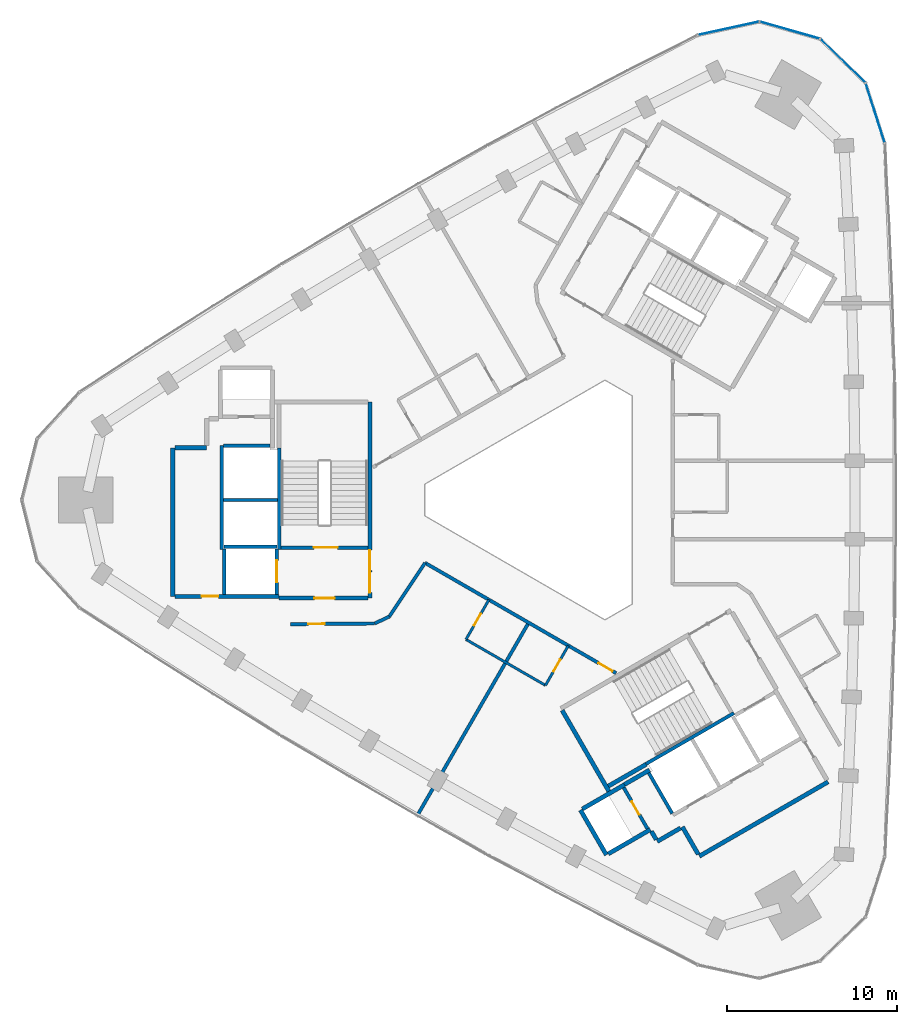
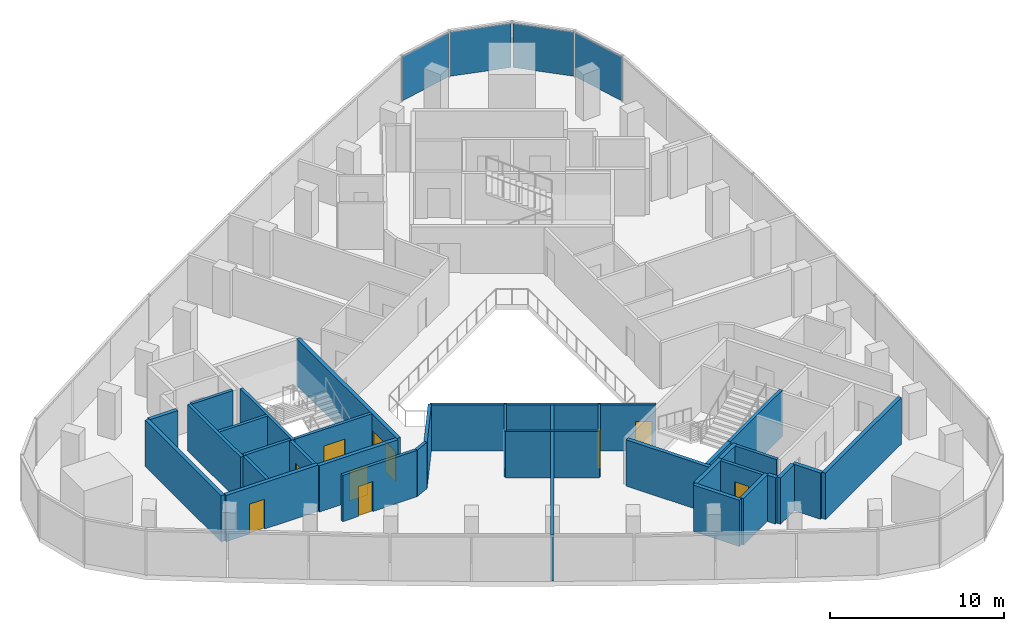
# One storey, part 7 of 11: 34 walls, 11 doors, 4 plates, 11 openings, 1 element without a shape of its own.
"""IFC4 building model written with IfcOpenShell, lengths in metres."""

from ifc_helpers import new_model, si_unit, direction, frame, frame_2d, origin, origin_2d, place, context, subcontext, project, spatial, rectangle, extrude, material, layer, layer_set, type_object, element, fill, aggregate, save


model = new_model("IFC4")

# Units and contexts
model_context = context("Model", 3, precision=1e-05, world=origin(), true_north=direction((0.0, 1.0)))
body_context = subcontext(model_context, "Body", "Model", "MODEL_VIEW")
ifc_project = project(units=[si_unit("LENGTHUNIT", "METRE"), si_unit("AREAUNIT", "SQUARE_METRE"), si_unit("VOLUMEUNIT", "CUBIC_METRE"), si_unit("PLANEANGLEUNIT", "RADIAN"), si_unit("MASSUNIT", "GRAM", prefix="KILO")], contexts=[model_context])

# Site, building, storey
site_placement = place(None, origin())
site = spatial("IfcSite", under=ifc_project, at=site_placement, CompositionType="ELEMENT")
building_placement = place(site_placement, origin())
building = spatial("IfcBuilding", under=site, at=building_placement, Name="Tamra Quay Hotel Tower", CompositionType="ELEMENT")
storey_placement = place(building_placement, frame((0.0, 0.0, 190.0)))
storey = spatial("IfcBuildingStorey", under=building, at=storey_placement, Name="L47", CompositionType="ELEMENT", Elevation=190.0)

# Curtain wall, plates
ifc_material_1 = material(Name="Aluminium 6063 anodised dark grey", Category="aluminium")
curtain_wall_type = type_object("IfcCurtainWallType", Name="CW1 CURTAIN WALL", PredefinedType="NOTDEFINED", material=ifc_material_1)
curtain_wall_placement = place(storey_placement, origin())
curtain_wall = element("IfcCurtainWall", 1, at=curtain_wall_placement, inside=storey, type_object=curtain_wall_type, Name="CW1 east face L47", PredefinedType="NOTDEFINED")
ifc_material_2 = material(Name="Glass clear laminated low-iron", Category="glass")
ifc_layer_1 = layer(ifc_material_2, 0.030029296875)
ifc_layer_set_1 = layer_set([ifc_layer_1], Name="GLASS PANEL CW1 Z4")
plate_type = type_object("IfcPlateType", Name="GLASS PANEL CW1 Z4", PredefinedType="CURTAIN_PANEL", material=ifc_layer_set_1)
plate_1_placement = place(storey_placement, frame((18.91064453125, 22.779541015625, 0.0), z_axis=(0.0, 0.0, 1.0), x_axis=(-0.303410479682, 0.952859948166, 0.0)))
plate_1 = element("IfcPlate", 2, at=plate_1_placement, type_object=plate_type, Name="CW1 glass L47.E.10", PredefinedType="CURTAIN_PANEL", context=body_context, shape_type="SweptSolid", body=[
    extrude(rectangle(XDim=3.62353515625, YDim=0.030029296875, at=origin_2d()), origin(), (0.0, 0.0, 1.0), 3.110107421875),
])
plate_2_placement = place(storey_placement, frame((17.009033203125, 25.849365234375, 0.0), z_axis=(0.0, 0.0, 1.0), x_axis=(-0.717974699393, 0.696069199888, 0.0)))
plate_2 = element("IfcPlate", 3, at=plate_2_placement, type_object=plate_type, Name="CW1 glass L47.E.11", PredefinedType="CURTAIN_PANEL", context=body_context, shape_type="SweptSolid", body=[
    extrude(rectangle(XDim=3.62353515625, YDim=0.030029296875, at=origin_2d()), origin(), (0.0, 0.0, 1.0), 3.110107421875),
])
plate_3_placement = place(storey_placement, frame((13.881591796875, 27.655029296875, 0.0), z_axis=(0.0, 0.0, 1.0), x_axis=(-0.961800959591, 0.273749729005, 0.0)))
plate_3 = element("IfcPlate", 4, at=plate_3_placement, type_object=plate_type, Name="CW1 glass L47.E.12", PredefinedType="CURTAIN_PANEL", context=body_context, shape_type="SweptSolid", body=[
    extrude(rectangle(XDim=3.62353515625, YDim=0.030029296875, at=origin_2d()), origin(), (0.0, 0.0, 1.0), 3.110107421875),
])
plate_4_placement = place(storey_placement, frame((10.272216796875, 27.766845703125, 0.0), z_axis=(0.0, 0.0, 1.0), x_axis=(-0.976906161202, -0.213668790904, 0.0)))
plate_4 = element("IfcPlate", 5, at=plate_4_placement, type_object=plate_type, Name="CW1 glass L47.E.13", PredefinedType="CURTAIN_PANEL", context=body_context, shape_type="SweptSolid", body=[
    extrude(rectangle(XDim=3.62353515625, YDim=0.030029296875, at=origin_2d()), origin(), (0.0, 0.0, 1.0), 3.110107421875),
])
aggregate(curtain_wall, [plate_1, plate_2, plate_3, plate_4])

# Walls
ifc_material_3 = material(Name="Concrete M70", Category="concrete")
ifc_layer_2 = layer(ifc_material_3, 0.199951171875)
ifc_layer_set_2 = layer_set([ifc_layer_2], Name="Concrete M70 core wall 200")
wall_type_1 = type_object("IfcWallType", Name="Concrete M70 core wall 200", PredefinedType="SHEAR", material=ifc_layer_set_2)
wall_1_placement = place(storey_placement, frame((-16.162109375, 3.073974609375, 0.0), z_axis=(0.0, 0.0, 1.0), x_axis=(0.0, -1.0, 0.0)))
element("IfcWall", 6, at=wall_1_placement, inside=storey, type_object=wall_type_1, Name="CW2", PredefinedType="SHEAR", context=body_context, shape_type="SweptSolid", body=[
    extrude(rectangle(XDim=5.97412109375, YDim=0.199951171875, at=frame_2d((2.987060546875, 0.0))), origin(), (0.0, 0.0, 1.0), 3.25),
])
wall_2_placement = place(storey_placement, frame((-19.5625, -2.900146484375, 0.0), z_axis=(0.0, 0.0, 1.0), x_axis=(0.0, 1.0, 0.0)))
element("IfcWall", 7, at=wall_2_placement, inside=storey, type_object=wall_type_1, Name="CW2", PredefinedType="SHEAR", context=body_context, shape_type="SweptSolid", body=[
    extrude(rectangle(XDim=6.100341796875, YDim=0.199951171875, at=frame_2d((3.05029296875, 0.0))), origin(), (0.0, 0.0, 1.0), 3.25),
])

# Wall, opening, door
wall_3_placement = place(storey_placement, frame((-10.96337890625, -2.800048828125, 0.0), z_axis=(0.0, 0.0, 1.0), x_axis=(-1.0, 0.0, 0.0)))
wall_3 = element("IfcWall", 8, at=wall_3_placement, inside=storey, type_object=wall_type_1, Name="CW2", PredefinedType="SHEAR", context=body_context, shape_type="SweptSolid", body=[
    extrude(rectangle(XDim=5.097900390625, YDim=0.199951171875, at=frame_2d((2.548828125, 0.0))), origin(), (0.0, 0.0, 1.0), 3.25),
])
opening_1_placement = place(wall_3_placement, frame((1.77392578125, 0.0, 0.0)))
opening_1 = element("IfcOpeningElement", 9, at=opening_1_placement, cuts=wall_3, Name="Opening FD2", PredefinedType="OPENING", context=body_context, shape_type="SweptSolid", body=[
    extrude(rectangle(XDim=1.39990234375, YDim=2.10009765625, at=frame_2d((0.699951171875, 1.050048828125))), frame((0.0, 0.10986328125, 0.0), z_axis=(0.0, -1.0, 0.0), x_axis=(1.0, 0.0, 0.0)), (0.0, 0.0, 1.0), 0.219970703125),
])
ifc_material_4 = material(Name="Core door FD2 1400x2100 RH")
door_type_1 = type_object("IfcDoorType", Name="Core door FD2 1400x2100 RH", OperationType="NOTDEFINED", PredefinedType="DOOR", material=ifc_material_4)
door_1_placement = place(opening_1_placement, origin())
door_1 = element("IfcDoor", 10, at=door_1_placement, inside=storey, type_object=door_type_1, Name="FD2", OperationType="SINGLE_SWING_RIGHT", OverallHeight=2.10009765625, OverallWidth=1.39990234375, PredefinedType="DOOR", context=body_context, shape_type="SweptSolid", body=[
    extrude(rectangle(XDim=1.39990234375, YDim=2.10009765625, at=frame_2d((0.699951171875, 1.050048828125))), frame((0.0, 0.02490234375, 0.0), z_axis=(0.0, -1.0, 0.0), x_axis=(1.0, 0.0, 0.0)), (0.0, 0.0, 1.0), 0.050048828125),
])
fill(opening_1, door_1)

# Walls
wall_4_placement = place(storey_placement, frame((-16.26318359375, 0.0, 0.0), z_axis=(0.0, 0.0, 1.0), x_axis=(-1.0, 0.0, 0.0)))
element("IfcWall", 11, at=wall_4_placement, inside=storey, type_object=wall_type_1, Name="CW2", PredefinedType="SHEAR", context=body_context, shape_type="SweptSolid", body=[
    extrude(rectangle(XDim=3.1982421875, YDim=0.199951171875, at=frame_2d((1.59912109375, 0.0))), origin(), (0.0, 0.0, 1.0), 3.25),
])
wall_5_placement = place(storey_placement, frame((-19.46240234375, 3.2001953125, 0.0), z_axis=(0.0, 0.0, 1.0), x_axis=(1.0, 0.0, 0.0)))
element("IfcWall", 12, at=wall_5_placement, inside=storey, type_object=wall_type_1, Name="CW2", PredefinedType="SHEAR", context=body_context, shape_type="SweptSolid", body=[
    extrude(rectangle(XDim=2.759033203125, YDim=0.199951171875, at=frame_2d((1.37939453125, 0.0))), origin(), (0.0, 0.0, 1.0), 3.25),
])
wall_6_placement = place(storey_placement, frame((-19.412353515625, -2.75, 0.0), z_axis=(0.0, 0.0, 1.0), x_axis=(1.0, 0.0, 0.0)))
element("IfcWall", 13, at=wall_6_placement, inside=storey, type_object=wall_type_1, Name="CW2", PredefinedType="SHEAR", context=body_context, shape_type="SweptSolid", body=[
    extrude(rectangle(XDim=3.10009765625, YDim=0.199951171875, at=frame_2d((1.550048828125, 0.0))), origin(), (0.0, 0.0, 1.0), 3.25),
])

# Wall, opening, door
wall_7_placement = place(storey_placement, frame((-16.312255859375, -2.898193359375, 0.0), z_axis=(0.0, 0.0, 1.0), x_axis=(0.0, -1.0, 0.0)))
wall_7 = element("IfcWall", 14, at=wall_7_placement, inside=storey, type_object=wall_type_1, Name="CW2", PredefinedType="SHEAR", context=body_context, shape_type="SweptSolid", body=[
    extrude(rectangle(XDim=2.65087890625, YDim=0.199951171875, at=frame_2d((1.325439453125, 0.0))), origin(), (0.0, 0.0, 1.0), 3.25),
])
opening_2_placement = place(wall_7_placement, frame((0.65185546875, 0.0, 0.0)))
opening_2 = element("IfcOpeningElement", 15, at=opening_2_placement, cuts=wall_7, Name="Opening LD", PredefinedType="OPENING", context=body_context, shape_type="SweptSolid", body=[
    extrude(rectangle(XDim=1.300048828125, YDim=2.10009765625, at=frame_2d((0.64990234375, 1.050048828125))), frame((0.0, 0.10986328125, 0.0), z_axis=(0.0, -1.0, 0.0), x_axis=(1.0, 0.0, 0.0)), (0.0, 0.0, 1.0), 0.219970703125),
])
ifc_material_5 = material(Name="Landing door LD 1300 sliding to right")
door_type_2 = type_object("IfcDoorType", Name="Landing door LD 1300 sliding to right", OperationType="NOTDEFINED", PredefinedType="DOOR", material=ifc_material_5)
door_2_placement = place(opening_2_placement, origin())
door_2 = element("IfcDoor", 16, at=door_2_placement, inside=storey, type_object=door_type_2, Name="LD", OperationType="SLIDING_TO_RIGHT", OverallHeight=2.10009765625, OverallWidth=1.300048828125, PredefinedType="DOOR", context=body_context, shape_type="SweptSolid", body=[
    extrude(rectangle(XDim=1.300048828125, YDim=2.10009765625, at=frame_2d((0.64990234375, 1.050048828125))), frame((0.0, 0.02490234375, 0.0), z_axis=(0.0, -1.0, 0.0), x_axis=(1.0, 0.0, 0.0)), (0.0, 0.0, 1.0), 0.050048828125),
])
fill(opening_2, door_2)

# Walls
wall_8_placement = place(storey_placement, frame((-19.412353515625, -5.549072265625, 0.0), z_axis=(0.0, 0.0, 1.0), x_axis=(0.0, 1.0, 0.0)))
element("IfcWall", 17, at=wall_8_placement, inside=storey, type_object=wall_type_1, Name="CW2", PredefinedType="SHEAR", context=body_context, shape_type="SweptSolid", body=[
    extrude(rectangle(XDim=2.65087890625, YDim=0.199951171875, at=frame_2d((1.325439453125, 0.0))), origin(), (0.0, 0.0, 1.0), 3.25),
])
wall_9_placement = place(storey_placement, frame((5.4189453125, -15.533935546875, 0.0), z_axis=(0.0, 0.0, 1.0), x_axis=(0.866029065029, 0.499993658486, 0.0)))
element("IfcWall", 18, at=wall_9_placement, inside=storey, type_object=wall_type_1, Name="CW2", PredefinedType="SHEAR", context=body_context, shape_type="SweptSolid", body=[
    extrude(rectangle(XDim=5.97412109375, YDim=0.199951171875, at=frame_2d((2.987060546875, 0.0))), origin(), (0.0, 0.0, 1.0), 3.25),
])

# Wall, opening, door
wall_10_placement = place(storey_placement, frame((5.50341796875, -19.352294921875, 0.0), z_axis=(0.0, 0.0, 1.0), x_axis=(-0.499986818241, 0.866033014143, 0.0)))
wall_10 = element("IfcWall", 19, at=wall_10_placement, inside=storey, type_object=wall_type_1, Name="CW2", PredefinedType="SHEAR", context=body_context, shape_type="SweptSolid", body=[
    extrude(rectangle(XDim=2.7978515625, YDim=0.199951171875, at=frame_2d((1.39892578125, 0.0))), origin(), (0.0, 0.0, 1.0), 3.25),
])
opening_3_placement = place(wall_10_placement, frame((0.948974609375, 0.0, 0.0)))
opening_3 = element("IfcOpeningElement", 20, at=opening_3_placement, cuts=wall_10, Name="Opening D1", PredefinedType="OPENING", context=body_context, shape_type="SweptSolid", body=[
    extrude(rectangle(XDim=0.89990234375, YDim=2.10009765625, at=frame_2d((0.449951171875, 1.050048828125))), frame((0.0, 0.10986328125, 0.0), z_axis=(0.0, -1.0, 0.0), x_axis=(1.0, 0.0, 0.0)), (0.0, 0.0, 1.0), 0.219970703125),
])
ifc_material_6 = material(Name="Core door D1 900x2100 RH")
door_type_3 = type_object("IfcDoorType", Name="Core door D1 900x2100 RH", OperationType="NOTDEFINED", PredefinedType="DOOR", material=ifc_material_6)
door_3_placement = place(opening_3_placement, origin())
door_3 = element("IfcDoor", 21, at=door_3_placement, inside=storey, type_object=door_type_3, Name="D1", OperationType="SINGLE_SWING_RIGHT", OverallHeight=2.10009765625, OverallWidth=0.89990234375, PredefinedType="DOOR", context=body_context, shape_type="SweptSolid", body=[
    extrude(rectangle(XDim=0.89990234375, YDim=2.10009765625, at=frame_2d((0.449951171875, 1.050048828125))), frame((0.0, 0.02490234375, 0.0), z_axis=(0.0, -1.0, 0.0), x_axis=(1.0, 0.0, 0.0)), (0.0, 0.0, 1.0), 0.050048828125),
])
fill(opening_3, door_3)

# Wall
wall_11_placement = place(storey_placement, frame((6.959716796875, -18.455078125, 0.0), z_axis=(0.0, 0.0, 1.0), x_axis=(-0.499926705758, 0.866067716099, 0.0)))
element("IfcWall", 22, at=wall_11_placement, inside=storey, type_object=wall_type_1, Name="CW2", PredefinedType="SHEAR", context=body_context, shape_type="SweptSolid", body=[
    extrude(rectangle(XDim=2.75927734375, YDim=0.199951171875, at=frame_2d((1.379638671875, 0.0))), origin(), (0.0, 0.0, 1.0), 3.25),
])

# Wall, openings, doors
ifc_layer_3 = layer(ifc_material_3, 0.25)
ifc_layer_set_3 = layer_set([ifc_layer_3], Name="Concrete M70 core wall 250")
wall_type_2 = type_object("IfcWallType", Name="Concrete M70 core wall 250", PredefinedType="SHEAR", material=ifc_layer_set_3)
wall_12_placement = place(storey_placement, frame((-10.83740234375, 5.77490234375, 0.0), z_axis=(0.0, 0.0, 1.0), x_axis=(0.0, -1.0, 0.0)))
wall_12 = element("IfcWall", 23, at=wall_12_placement, inside=storey, type_object=wall_type_2, Name="CW1", PredefinedType="SHEAR", context=body_context, shape_type="SweptSolid", body=[
    extrude(rectangle(XDim=11.5498046875, YDim=0.25, at=frame_2d((5.77490234375, 0.0))), origin(), (0.0, 0.0, 1.0), 3.25),
])
opening_4_placement = place(wall_12_placement, frame((10.02490234375, 0.0, 0.0)))
opening_4 = element("IfcOpeningElement", 24, at=opening_4_placement, cuts=wall_12, Name="Opening FD1", PredefinedType="OPENING", context=body_context, shape_type="SweptSolid", body=[
    extrude(rectangle(XDim=1.199951171875, YDim=2.10009765625, at=frame_2d((0.60009765625, 1.050048828125))), frame((0.0, 0.135009765625, 0.0), z_axis=(0.0, -1.0, 0.0), x_axis=(1.0, 0.0, 0.0)), (0.0, 0.0, 1.0), 0.27001953125),
])
opening_5_placement = place(wall_12_placement, frame((8.72509765625, 0.0, 0.0)))
opening_5 = element("IfcOpeningElement", 25, at=opening_5_placement, cuts=wall_12, Name="Opening FD1", PredefinedType="OPENING", context=body_context, shape_type="SweptSolid", body=[
    extrude(rectangle(XDim=1.199951171875, YDim=2.10009765625, at=frame_2d((0.60009765625, 1.050048828125))), frame((0.0, 0.135009765625, 0.0), z_axis=(0.0, -1.0, 0.0), x_axis=(1.0, 0.0, 0.0)), (0.0, 0.0, 1.0), 0.27001953125),
])
ifc_material_7 = material(Name="Core door FD1 1200x2100 LH")
door_type_4 = type_object("IfcDoorType", Name="Core door FD1 1200x2100 LH", OperationType="NOTDEFINED", PredefinedType="DOOR", material=ifc_material_7)
door_4_placement = place(opening_4_placement, origin())
door_4 = element("IfcDoor", 26, at=door_4_placement, inside=storey, type_object=door_type_4, Name="FD1", OperationType="SINGLE_SWING_LEFT", OverallHeight=2.10009765625, OverallWidth=1.199951171875, PredefinedType="DOOR", context=body_context, shape_type="SweptSolid", body=[
    extrude(rectangle(XDim=1.199951171875, YDim=2.10009765625, at=frame_2d((0.60009765625, 1.050048828125))), frame((0.0, 0.02490234375, 0.0), z_axis=(0.0, -1.0, 0.0), x_axis=(1.0, 0.0, 0.0)), (0.0, 0.0, 1.0), 0.050048828125),
])
fill(opening_4, door_4)
ifc_material_8 = material(Name="Core door FD1 1200x2100 RH")
door_type_5 = type_object("IfcDoorType", Name="Core door FD1 1200x2100 RH", OperationType="NOTDEFINED", PredefinedType="DOOR", material=ifc_material_8)
door_5_placement = place(opening_5_placement, origin())
door_5 = element("IfcDoor", 27, at=door_5_placement, inside=storey, type_object=door_type_5, Name="FD1", OperationType="SINGLE_SWING_RIGHT", OverallHeight=2.10009765625, OverallWidth=1.199951171875, PredefinedType="DOOR", context=body_context, shape_type="SweptSolid", body=[
    extrude(rectangle(XDim=1.199951171875, YDim=2.10009765625, at=frame_2d((0.60009765625, 1.050048828125))), frame((0.0, 0.02490234375, 0.0), z_axis=(0.0, -1.0, 0.0), x_axis=(1.0, 0.0, 0.0)), (0.0, 0.0, 1.0), 0.050048828125),
])
fill(opening_5, door_5)

# Wall
wall_13_placement = place(storey_placement, frame((-22.437255859375, -5.675048828125, 0.0), z_axis=(0.0, 0.0, 1.0), x_axis=(0.0, 1.0, 0.0)))
element("IfcWall", 28, at=wall_13_placement, inside=storey, type_object=wall_type_2, Name="CW1", PredefinedType="SHEAR", context=body_context, shape_type="SweptSolid", body=[
    extrude(rectangle(XDim=8.75, YDim=0.25, at=frame_2d((4.375, 0.0))), origin(), (0.0, 0.0, 1.0), 3.25),
])

# Wall, opening, door
wall_14_placement = place(storey_placement, frame((-16.187255859375, -5.675048828125, 0.0), z_axis=(0.0, 0.0, 1.0), x_axis=(-1.0, 0.0, 0.0)))
wall_14 = element("IfcWall", 29, at=wall_14_placement, inside=storey, type_object=wall_type_2, Name="CW1", PredefinedType="SHEAR", context=body_context, shape_type="SweptSolid", body=[
    extrude(rectangle(XDim=6.12451171875, YDim=0.25, at=frame_2d((3.062255859375, 0.0))), origin(), (0.0, 0.0, 1.0), 3.25),
])
opening_6_placement = place(wall_14_placement, frame((3.562744140625, 0.0, 0.0)))
opening_6 = element("IfcOpeningElement", 30, at=opening_6_placement, cuts=wall_14, Name="Opening FD3", PredefinedType="OPENING", context=body_context, shape_type="SweptSolid", body=[
    extrude(rectangle(XDim=1.0, YDim=2.10009765625, at=frame_2d((0.5, 1.050048828125))), frame((0.0, 0.135009765625, 0.0), z_axis=(0.0, -1.0, 0.0), x_axis=(1.0, 0.0, 0.0)), (0.0, 0.0, 1.0), 0.27001953125),
])
ifc_material_9 = material(Name="Core door FD3 1000x2100 LH")
door_type_6 = type_object("IfcDoorType", Name="Core door FD3 1000x2100 LH", OperationType="NOTDEFINED", PredefinedType="DOOR", material=ifc_material_9)
door_6_placement = place(opening_6_placement, origin())
door_6 = element("IfcDoor", 31, at=door_6_placement, inside=storey, type_object=door_type_6, Name="FD3", OperationType="SINGLE_SWING_LEFT", OverallHeight=2.10009765625, OverallWidth=1.0, PredefinedType="DOOR", context=body_context, shape_type="SweptSolid", body=[
    extrude(rectangle(XDim=1.0, YDim=2.10009765625, at=frame_2d((0.5, 1.050048828125))), frame((0.0, 0.02490234375, 0.0), z_axis=(0.0, -1.0, 0.0), x_axis=(1.0, 0.0, 0.0)), (0.0, 0.0, 1.0), 0.050048828125),
])
fill(opening_6, door_6)

wall_15_placement = place(storey_placement, frame((-10.962646484375, -5.77490234375, 0.0), z_axis=(0.0, 0.0, 1.0), x_axis=(-1.0, 0.0, 0.0)))
wall_15 = element("IfcWall", 32, at=wall_15_placement, inside=storey, type_object=wall_type_2, Name="CW1", PredefinedType="SHEAR", context=body_context, shape_type="SweptSolid", body=[
    extrude(rectangle(XDim=5.224609375, YDim=0.25, at=frame_2d((2.6123046875, 0.0))), origin(), (0.0, 0.0, 1.0), 3.25),
])
opening_7_placement = place(wall_15_placement, frame((1.94970703125, 0.0, 0.0)))
opening_7 = element("IfcOpeningElement", 33, at=opening_7_placement, cuts=wall_15, Name="Opening D2", PredefinedType="OPENING", context=body_context, shape_type="SweptSolid", body=[
    extrude(rectangle(XDim=1.199951171875, YDim=2.10009765625, at=frame_2d((0.60009765625, 1.050048828125))), frame((0.0, 0.135009765625, 0.0), z_axis=(0.0, -1.0, 0.0), x_axis=(1.0, 0.0, 0.0)), (0.0, 0.0, 1.0), 0.27001953125),
])
ifc_material_10 = material(Name="Core door D2 1200x2100 LH")
door_type_7 = type_object("IfcDoorType", Name="Core door D2 1200x2100 LH", OperationType="NOTDEFINED", PredefinedType="DOOR", material=ifc_material_10)
door_7_placement = place(opening_7_placement, origin())
door_7 = element("IfcDoor", 34, at=door_7_placement, inside=storey, type_object=door_type_7, Name="D2", OperationType="SINGLE_SWING_LEFT", OverallHeight=2.10009765625, OverallWidth=1.199951171875, PredefinedType="DOOR", context=body_context, shape_type="SweptSolid", body=[
    extrude(rectangle(XDim=1.199951171875, YDim=2.10009765625, at=frame_2d((0.60009765625, 1.050048828125))), frame((0.0, 0.02490234375, 0.0), z_axis=(0.0, -1.0, 0.0), x_axis=(1.0, 0.0, 0.0)), (0.0, 0.0, 1.0), 0.050048828125),
])
fill(opening_7, door_7)

# Walls
wall_16_placement = place(storey_placement, frame((-22.311767578125, 3.074951171875, 0.0), z_axis=(0.0, 0.0, 1.0), x_axis=(1.0, 0.0, 0.0)))
element("IfcWall", 35, at=wall_16_placement, inside=storey, type_object=wall_type_2, Name="CW1", PredefinedType="SHEAR", context=body_context, shape_type="SweptSolid", body=[
    extrude(rectangle(XDim=1.864501953125, YDim=0.25, at=frame_2d((0.93212890625, 0.0))), origin(), (0.0, 0.0, 1.0), 3.25),
])
wall_17_placement = place(storey_placement, frame((16.13330078125, -16.59375, 0.0), z_axis=(0.0, 0.0, 1.0), x_axis=(-0.866022959057, -0.500004234368, 0.0)))
element("IfcWall", 36, at=wall_17_placement, inside=storey, type_object=wall_type_2, Name="CW1", PredefinedType="SHEAR", context=body_context, shape_type="SweptSolid", body=[
    extrude(rectangle(XDim=8.75, YDim=0.25, at=frame_2d((4.375, 0.0))), origin(), (0.0, 0.0, 1.0), 3.25),
])
wall_18_placement = place(storey_placement, frame((3.23486328125, -17.15283203125, 0.0), z_axis=(0.0, 0.0, 1.0), x_axis=(-0.500008851346, 0.866020293397, 0.0)))
element("IfcWall", 37, at=wall_18_placement, inside=storey, type_object=wall_type_2, Name="CW1", PredefinedType="SHEAR", context=body_context, shape_type="SweptSolid", body=[
    extrude(rectangle(XDim=5.509765625, YDim=0.25, at=frame_2d((2.7548828125, 0.0))), origin(), (0.0, 0.0, 1.0), 3.25),
])
wall_19_placement = place(storey_placement, frame((3.085205078125, -20.893798828125, 0.0), z_axis=(0.0, 0.0, 1.0), x_axis=(-0.499978833458, 0.866037623948, 0.0)))
element("IfcWall", 38, at=wall_19_placement, inside=storey, type_object=wall_type_2, Name="CW1", PredefinedType="SHEAR", context=body_context, shape_type="SweptSolid", body=[
    extrude(rectangle(XDim=3.050048828125, YDim=0.25, at=frame_2d((1.52490234375, 0.0))), origin(), (0.0, 0.0, 1.0), 3.25),
])
wall_20_placement = place(storey_placement, frame((1.6689453125, -18.189697265625, 0.0), z_axis=(0.0, 0.0, 1.0), x_axis=(0.866042235819, 0.499970844928, 0.0)))
element("IfcWall", 39, at=wall_20_placement, inside=storey, type_object=wall_type_2, Name="CW1", PredefinedType="SHEAR", context=body_context, shape_type="SweptSolid", body=[
    extrude(rectangle(XDim=2.864501953125, YDim=0.25, at=frame_2d((1.43212890625, 0.0))), origin(), (0.0, 0.0, 1.0), 3.25),
])
wall_21_placement = place(storey_placement, frame((5.6748046875, -19.39892578125, 0.0), z_axis=(0.0, 0.0, 1.0), x_axis=(-0.866026637627, -0.499997862916, 0.0)))
element("IfcWall", 40, at=wall_21_placement, inside=storey, type_object=wall_type_2, Name="CW1", PredefinedType="SHEAR", context=body_context, shape_type="SweptSolid", body=[
    extrude(rectangle(XDim=2.86474609375, YDim=0.25, at=frame_2d((1.432373046875, 0.0))), origin(), (0.0, 0.0, 1.0), 3.25),
])
wall_22_placement = place(storey_placement, frame((5.4306640625, -15.55615234375, 0.0), z_axis=(0.0, 0.0, 1.0), x_axis=(-0.866022940537, -0.500004266446, 0.0)))
element("IfcWall", 41, at=wall_22_placement, inside=storey, type_object=wall_type_2, Name="CW1", PredefinedType="SHEAR", context=body_context, shape_type="SweptSolid", body=[
    extrude(rectangle(XDim=2.57470703125, YDim=0.25, at=frame_2d((1.287353515625, 0.0))), origin(), (0.0, 0.0, 1.0), 3.25),
])
wall_23_placement = place(storey_placement, frame((8.492919921875, -20.860107421875, 0.0), z_axis=(0.0, 0.0, 1.0), x_axis=(-0.500039802285, 0.866002422705, 0.0)))
element("IfcWall", 42, at=wall_23_placement, inside=storey, type_object=wall_type_2, Name="CW1", PredefinedType="SHEAR", context=body_context, shape_type="SweptSolid", body=[
    extrude(rectangle(XDim=1.864501953125, YDim=0.25, at=frame_2d((0.93212890625, 0.0))), origin(), (0.0, 0.0, 1.0), 3.25),
])
wall_24_placement = place(storey_placement, frame((4.144775390625, -16.748779296875, 0.0), z_axis=(0.0, 0.0, 1.0), x_axis=(0.866038183914, 0.499977863513, 0.0)))
element("IfcWall", 43, at=wall_24_placement, inside=storey, type_object=wall_type_2, Name="CW1", PredefinedType="SHEAR", context=body_context, shape_type="SweptSolid", body=[
    extrude(rectangle(XDim=1.7099609375, YDim=0.25, at=frame_2d((0.85498046875, 0.0))), origin(), (0.0, 0.0, 1.0), 3.25),
])
wall_25_placement = place(storey_placement, frame((7.451904296875, -19.30810546875, 0.0), z_axis=(0.0, 0.0, 1.0), x_axis=(-0.866044474677, -0.49996696679, 0.0)))
element("IfcWall", 44, at=wall_25_placement, inside=storey, type_object=wall_type_2, Name="CW1", PredefinedType="SHEAR", context=body_context, shape_type="SweptSolid", body=[
    extrude(rectangle(XDim=1.58447265625, YDim=0.25, at=frame_2d((0.792236328125, 0.0))), origin(), (0.0, 0.0, 1.0), 3.25),
])
wall_26_placement = place(storey_placement, frame((6.01708984375, -19.99169921875, 0.0), z_axis=(0.0, 0.0, 1.0), x_axis=(-0.500364886717, 0.865814633822, 0.0)))
element("IfcWall", 45, at=wall_26_placement, inside=storey, type_object=wall_type_2, Name="CW1", PredefinedType="SHEAR", context=body_context, shape_type="SweptSolid", body=[
    extrude(rectangle(XDim=0.55908203125, YDim=0.25, at=frame_2d((0.279541015625, 0.0))), origin(), (0.0, 0.0, 1.0), 3.25),
])

# Wall, opening, door
ifc_material_11 = material(Name="Partition corridor wall")
ifc_layer_4 = layer(ifc_material_11, 0.199951171875)
ifc_layer_set_4 = layer_set([ifc_layer_4], Name="Partition corridor wall")
wall_type_3 = type_object("IfcWallType", Name="Partition corridor wall", PredefinedType="PARTITIONING", material=ifc_layer_set_4)
wall_27_placement = place(storey_placement, frame((-15.5, -7.31005859375, 0.0), z_axis=(0.0, 0.0, 1.0), x_axis=(0.999965631649, 0.008290688749, 0.0)))
wall_27 = element("IfcWall", 46, at=wall_27_placement, inside=storey, type_object=wall_type_3, Name="W-C", PredefinedType="PARTITIONING", context=body_context, shape_type="SweptSolid", body=[
    extrude(rectangle(XDim=4.947265625, YDim=0.199951171875, at=frame_2d((2.4736328125, 0.0))), origin(), (0.0, 0.0, 1.0), 3.25),
])
opening_8_placement = place(wall_27_placement, frame((1.047119140625, 0.0, 0.0)))
opening_8 = element("IfcOpeningElement", 47, at=opening_8_placement, cuts=wall_27, Name="Opening L47-D007", PredefinedType="OPENING", context=body_context, shape_type="SweptSolid", body=[
    extrude(rectangle(XDim=0.949951171875, YDim=2.10009765625, at=frame_2d((0.47509765625, 1.050048828125))), frame((0.0, 0.10986328125, 0.0), z_axis=(0.0, -1.0, 0.0), x_axis=(1.0, 0.0, 0.0)), (0.0, 0.0, 1.0), 0.219970703125),
])
ifc_material_12 = material(Name="Door guest room 950x2100")
door_type_8 = type_object("IfcDoorType", Name="Door guest room 950x2100", OperationType="NOTDEFINED", PredefinedType="DOOR", material=ifc_material_12)
door_8_placement = place(opening_8_placement, frame((0.949951171875, 0.0, 0.0), z_axis=(0.0, 0.0, 1.0), x_axis=(-1.0, 0.0, 0.0)))
door_8 = element("IfcDoor", 48, at=door_8_placement, inside=storey, type_object=door_type_8, Name="L47-D007", OperationType="SINGLE_SWING_LEFT", OverallHeight=2.10009765625, OverallWidth=0.949951171875, PredefinedType="DOOR", context=body_context, shape_type="SweptSolid", body=[
    extrude(rectangle(XDim=0.949951171875, YDim=2.10009765625, at=frame_2d((0.47509765625, 1.050048828125))), frame((0.0, 0.02490234375, 0.0), z_axis=(0.0, -1.0, 0.0), x_axis=(1.0, 0.0, 0.0)), (0.0, 0.0, 1.0), 0.050048828125),
])
fill(opening_8, door_8)

# Walls
wall_28_placement = place(storey_placement, frame((-10.552001953125, -7.26806640625, 0.0), z_axis=(0.0, 0.0, 1.0), x_axis=(0.904331815333, 0.426830139255, 0.0)))
element("IfcWall", 49, at=wall_28_placement, inside=storey, type_object=wall_type_3, Name="W-C", PredefinedType="PARTITIONING", context=body_context, shape_type="SweptSolid", body=[
    extrude(rectangle(XDim=0.9443359375, YDim=0.199951171875, at=frame_2d((0.47216796875, 0.0))), origin(), (0.0, 0.0, 1.0), 3.25),
])
wall_29_placement = place(storey_placement, frame((-9.697021484375, -6.864013671875, 0.0), z_axis=(0.0, 0.0, 1.0), x_axis=(0.554670545446, 0.832070060761, 0.0)))
element("IfcWall", 50, at=wall_29_placement, inside=storey, type_object=wall_type_3, Name="W-C", PredefinedType="PARTITIONING", context=body_context, shape_type="SweptSolid", body=[
    extrude(rectangle(XDim=3.80029296875, YDim=0.199951171875, at=frame_2d((1.900146484375, 0.0))), origin(), (0.0, 0.0, 1.0), 3.25),
])

# Wall, opening, door
wall_30_placement = place(storey_placement, frame((-7.589111328125, -3.701904296875, 0.0), z_axis=(0.0, 0.0, 1.0), x_axis=(0.86602490244, -0.500000868353, 0.0)))
wall_30 = element("IfcWall", 51, at=wall_30_placement, inside=storey, type_object=wall_type_3, Name="W-C", PredefinedType="PARTITIONING", context=body_context, shape_type="SweptSolid", body=[
    extrude(rectangle(XDim=12.97998046875, YDim=0.199951171875, at=frame_2d((6.489990234375, 0.0))), origin(), (0.0, 0.0, 1.0), 3.25),
])
opening_9_placement = place(wall_30_placement, frame((11.80029296875, 0.0, 0.0)))
opening_9 = element("IfcOpeningElement", 52, at=opening_9_placement, cuts=wall_30, Name="Opening L47-D009", PredefinedType="OPENING", context=body_context, shape_type="SweptSolid", body=[
    extrude(rectangle(XDim=0.949951171875, YDim=2.10009765625, at=frame_2d((0.47509765625, 1.050048828125))), frame((0.0, 0.10986328125, 0.0), z_axis=(0.0, -1.0, 0.0), x_axis=(1.0, 0.0, 0.0)), (0.0, 0.0, 1.0), 0.219970703125),
])
door_9_placement = place(opening_9_placement, frame((0.949951171875, 0.0, 0.0), z_axis=(0.0, 0.0, 1.0), x_axis=(-1.0, 0.0, 0.0)))
door_9 = element("IfcDoor", 53, at=door_9_placement, inside=storey, type_object=door_type_8, Name="L47-D009", OperationType="SINGLE_SWING_LEFT", OverallHeight=2.10009765625, OverallWidth=0.949951171875, PredefinedType="DOOR", context=body_context, shape_type="SweptSolid", body=[
    extrude(rectangle(XDim=0.949951171875, YDim=2.10009765625, at=frame_2d((0.47509765625, 1.050048828125))), frame((0.0, 0.02490234375, 0.0), z_axis=(0.0, -1.0, 0.0), x_axis=(1.0, 0.0, 0.0)), (0.0, 0.0, 1.0), 0.050048828125),
])
fill(opening_9, door_9)

ifc_material_13 = material(Name="Partition en-suite wall")
ifc_layer_5 = layer(ifc_material_13, 0.14990234375)
ifc_layer_set_5 = layer_set([ifc_layer_5], Name="Partition en-suite wall")
wall_type_4 = type_object("IfcWallType", Name="Partition en-suite wall", PredefinedType="PARTITIONING", material=ifc_layer_set_5)
wall_31_placement = place(storey_placement, frame((-5.178955078125, -8.2080078125, 0.0), z_axis=(0.0, 0.0, 1.0), x_axis=(0.500061949227, 0.865989634427, 0.0)))
wall_31 = element("IfcWall", 54, at=wall_31_placement, inside=storey, type_object=wall_type_4, Name="W-E", PredefinedType="PARTITIONING", context=body_context, shape_type="SweptSolid", body=[
    extrude(rectangle(XDim=2.697509765625, YDim=0.14990234375, at=frame_2d((1.3486328125, 0.0))), origin(), (0.0, 0.0, 1.0), 3.25),
])
opening_10_placement = place(wall_31_placement, frame((0.947509765625, 0.0, 0.0)))
opening_10 = element("IfcOpeningElement", 55, at=opening_10_placement, cuts=wall_31, Name="Opening L47-D008", PredefinedType="OPENING", context=body_context, shape_type="SweptSolid", body=[
    extrude(rectangle(XDim=0.800048828125, YDim=2.10009765625, at=frame_2d((0.39990234375, 1.050048828125))), frame((0.0, 0.0849609375, 0.0), z_axis=(0.0, -1.0, 0.0), x_axis=(1.0, 0.0, 0.0)), (0.0, 0.0, 1.0), 0.169921875),
])
ifc_material_14 = material(Name="Door en-suite 800x2100")
door_type_9 = type_object("IfcDoorType", Name="Door en-suite 800x2100", OperationType="NOTDEFINED", PredefinedType="DOOR", material=ifc_material_14)
door_10_placement = place(opening_10_placement, origin())
door_10 = element("IfcDoor", 56, at=door_10_placement, inside=storey, type_object=door_type_9, Name="L47-D008", OperationType="SINGLE_SWING_LEFT", OverallHeight=2.10009765625, OverallWidth=0.800048828125, PredefinedType="DOOR", context=body_context, shape_type="SweptSolid", body=[
    extrude(rectangle(XDim=0.800048828125, YDim=2.10009765625, at=frame_2d((0.39990234375, 1.050048828125))), frame((0.0, 0.02490234375, 0.0), z_axis=(0.0, -1.0, 0.0), x_axis=(1.0, 0.0, 0.0)), (0.0, 0.0, 1.0), 0.050048828125),
])
fill(opening_10, door_10)

# Wall
wall_32_placement = place(storey_placement, frame((-5.177978515625, -8.2109375, 0.0), z_axis=(0.0, 0.0, 1.0), x_axis=(0.866046199912, -0.49996397832, 0.0)))
element("IfcWall", 57, at=wall_32_placement, inside=storey, type_object=wall_type_4, Name="W-E", PredefinedType="PARTITIONING", context=body_context, shape_type="SweptSolid", body=[
    extrude(rectangle(XDim=5.39599609375, YDim=0.14990234375, at=frame_2d((2.697998046875, 0.0))), origin(), (0.0, 0.0, 1.0), 3.25),
])

# Wall, opening, door
wall_33_placement = place(storey_placement, frame((-0.501953125, -10.907958984375, 0.0), z_axis=(0.0, 0.0, 1.0), x_axis=(0.499675408556, 0.866212725654, 0.0)))
wall_33 = element("IfcWall", 58, at=wall_33_placement, inside=storey, type_object=wall_type_4, Name="W-E", PredefinedType="PARTITIONING", context=body_context, shape_type="SweptSolid", body=[
    extrude(rectangle(XDim=2.695556640625, YDim=0.14990234375, at=frame_2d((1.34765625, 0.0))), origin(), (0.0, 0.0, 1.0), 3.25),
])
opening_11_placement = place(wall_33_placement, frame((0.947509765625, 0.0, 0.0)))
opening_11 = element("IfcOpeningElement", 59, at=opening_11_placement, cuts=wall_33, Name="Opening L47-D010", PredefinedType="OPENING", context=body_context, shape_type="SweptSolid", body=[
    extrude(rectangle(XDim=0.800048828125, YDim=2.10009765625, at=frame_2d((0.39990234375, 1.050048828125))), frame((0.0, 0.0849609375, 0.0), z_axis=(0.0, -1.0, 0.0), x_axis=(1.0, 0.0, 0.0)), (0.0, 0.0, 1.0), 0.169921875),
])
door_11_placement = place(opening_11_placement, frame((0.800048828125, 0.0, 0.0), z_axis=(0.0, 0.0, 1.0), x_axis=(-1.0, 0.0, 0.0)))
door_11 = element("IfcDoor", 60, at=door_11_placement, inside=storey, type_object=door_type_9, Name="L47-D010", OperationType="SINGLE_SWING_LEFT", OverallHeight=2.10009765625, OverallWidth=0.800048828125, PredefinedType="DOOR", context=body_context, shape_type="SweptSolid", body=[
    extrude(rectangle(XDim=0.800048828125, YDim=2.10009765625, at=frame_2d((0.39990234375, 1.050048828125))), frame((0.0, 0.02490234375, 0.0), z_axis=(0.0, -1.0, 0.0), x_axis=(1.0, 0.0, 0.0)), (0.0, 0.0, 1.0), 0.050048828125),
])
fill(opening_11, door_11)

# Wall
ifc_material_15 = material(Name="Partition party wall")
ifc_layer_6 = layer(ifc_material_15, 0.199951171875)
ifc_layer_set_6 = layer_set([ifc_layer_6], Name="Partition party wall")
wall_type_5 = type_object("IfcWallType", Name="Partition party wall", PredefinedType="PARTITIONING", material=ifc_layer_set_6)
wall_34_placement = place(storey_placement, frame((-8.05126953125, -18.582275390625, 0.0), z_axis=(0.0, 0.0, 1.0), x_axis=(0.500024249232, 0.866011403031, 0.0)))
element("IfcWall", 61, at=wall_34_placement, inside=storey, type_object=wall_type_5, Name="W-P", PredefinedType="PARTITIONING", context=body_context, shape_type="SweptSolid", body=[
    extrude(rectangle(XDim=13.117919921875, YDim=0.199951171875, at=frame_2d((6.55908203125, 0.0))), origin(), (0.0, 0.0, 1.0), 3.25),
])

save(model, "model.ifc")
